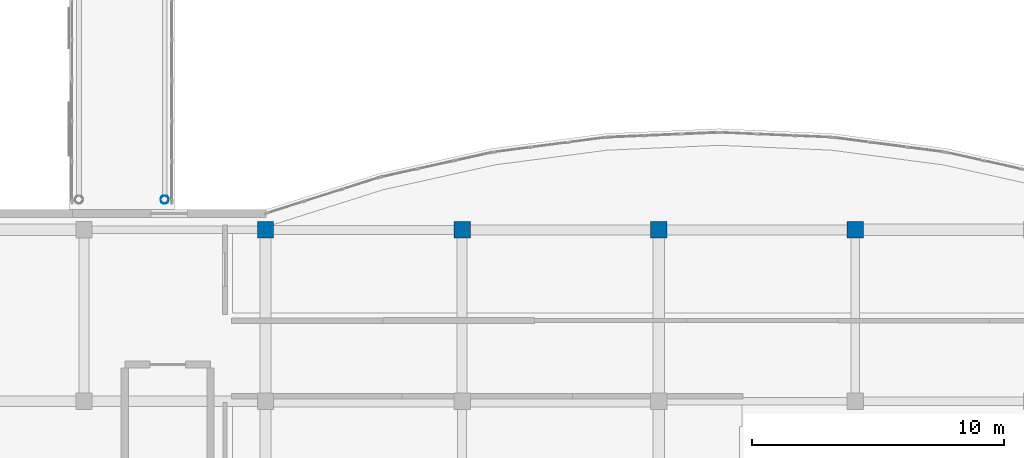
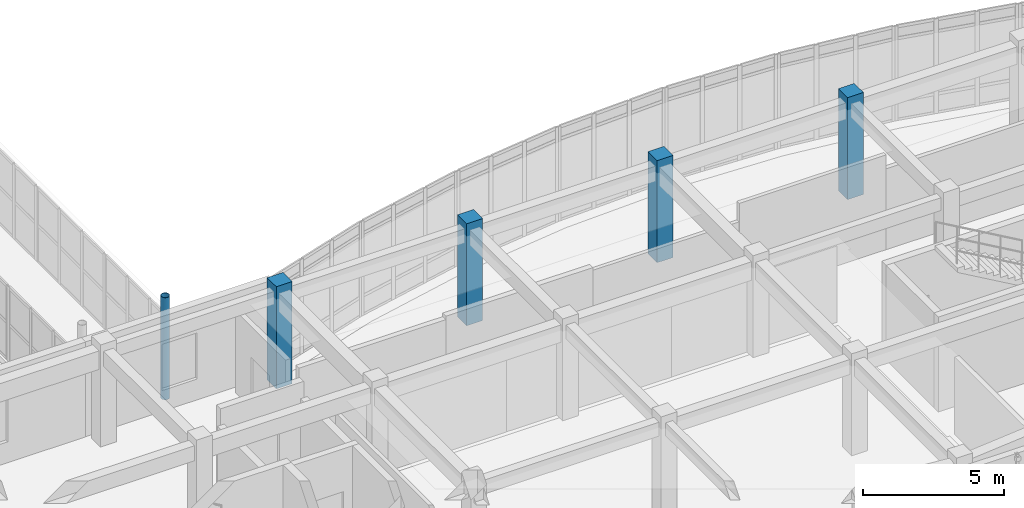
# One storey, part 6 of 142: 5 columns.
"""IFC4 building model written with IfcOpenShell, lengths in metres."""

from ifc_helpers import new_model, si_unit, direction, frame, origin, origin_2d, place, context, subcontext, project, spatial, rectangle, hollow_circle, extrude, material, material_profile, profile_set, type_object, element, save


model = new_model("IFC4")

# Units and contexts
model_context = context("Model", 3, precision=1e-05, world=origin(), true_north=direction((0.0, 1.0)))
body_context = subcontext(model_context, "Body", "Model", "MODEL_VIEW")
ifc_project = project(units=[si_unit("LENGTHUNIT", "METRE"), si_unit("AREAUNIT", "SQUARE_METRE"), si_unit("VOLUMEUNIT", "CUBIC_METRE"), si_unit("PLANEANGLEUNIT", "RADIAN"), si_unit("MASSUNIT", "GRAM", prefix="KILO")], contexts=[model_context])

# Site, building, storey
site_placement = place(None, origin())
site = spatial("IfcSite", under=ifc_project, at=site_placement, CompositionType="ELEMENT")
building_placement = place(site_placement, origin())
building = spatial("IfcBuilding", under=site, at=building_placement, Name="Valcora Specialist Clinic", CompositionType="ELEMENT")
storey_placement = place(building_placement, frame((0.0, 0.0, 5.10009765625)))
storey = spatial("IfcBuildingStorey", under=building, at=storey_placement, Name="L01", CompositionType="ELEMENT", Elevation=5.10009765625)

# Columns
ifc_material_1 = material(Name="Steel ASTM A500 Grade C", Category="steel")
ifc_material_profile_1 = material_profile(ifc_material_1, hollow_circle(Radius=0.162109375, WallThickness=0.011962890625, at=origin_2d()), Name="ST-CHS-324X12")
ifc_profile_set_1 = profile_set([ifc_material_profile_1], Name="Steel ASTM A500 Grade C")
column_type_1 = type_object("IfcColumnType", Name="TY-COL-CHS324", PredefinedType="COLUMN", material=ifc_profile_set_1)
column_placement = place(storey_placement, frame((65.0, 23.199951171875, 0.0), z_axis=(0.0, 0.0, 1.0), x_axis=(1.0, 0.0, 0.0)))
element("IfcColumn", 1, at=column_placement, inside=storey, type_object=column_type_1, Name="Column COL-L01-0985", PredefinedType="COLUMN", context=body_context, shape_type="SweptSolid", body=[
    extrude(hollow_circle(Radius=0.162109375, WallThickness=0.011962890625, at=origin_2d()), origin(), (0.0, 0.0, 1.0), 4.419921875),
])
ifc_material_2 = material(Name="Concrete C40/50", Category="concrete")
ifc_material_profile_2 = material_profile(ifc_material_2, rectangle(XDim=0.64990234375, YDim=0.64990234375, at=origin_2d()), Name="RC-COL-650X650")
ifc_profile_set_2 = profile_set([ifc_material_profile_2], Name="Concrete C40/50")
column_type_2 = type_object("IfcColumnType", Name="TY-COL-RC650", PredefinedType="COLUMN", material=ifc_profile_set_2)
for number, where, z_axis, x_axis, name in (
    (2, (69.0, 22.0, 0.0), (0.0, 0.0, 1.0), (1.0, 0.0, 0.0), "Column COL-L01-0803"),
    (3, (76.800048828125, 22.0, 0.0), (0.0, 0.0, 1.0), (1.0, 0.0, 0.0), "Column COL-L01-0826"),
    (4, (84.60009765625, 22.0, 0.0), (0.0, 0.0, 1.0), (1.0, 0.0, 0.0), "Column COL-L01-0849"),
    (5, (92.39990234375, 22.0, 0.0), (0.0, 0.0, 1.0), (1.0, 0.0, 0.0), "Column COL-L01-0872"),
):
    element("IfcColumn", number, at=place(storey_placement, frame(where, z_axis=z_axis, x_axis=x_axis)), inside=storey, type_object=column_type_2, Name=name, PredefinedType="COLUMN", context=body_context, shape_type="SweptSolid", body=[
        extrude(rectangle(XDim=0.64990234375, YDim=0.64990234375, at=origin_2d()), origin(), (0.0, 0.0, 1.0), 4.419921875),
    ])

save(model, "model.ifc")
